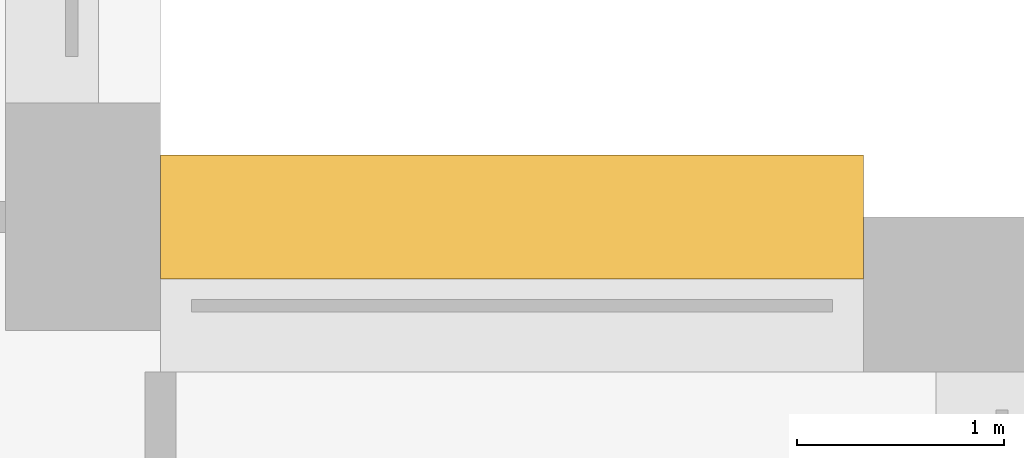
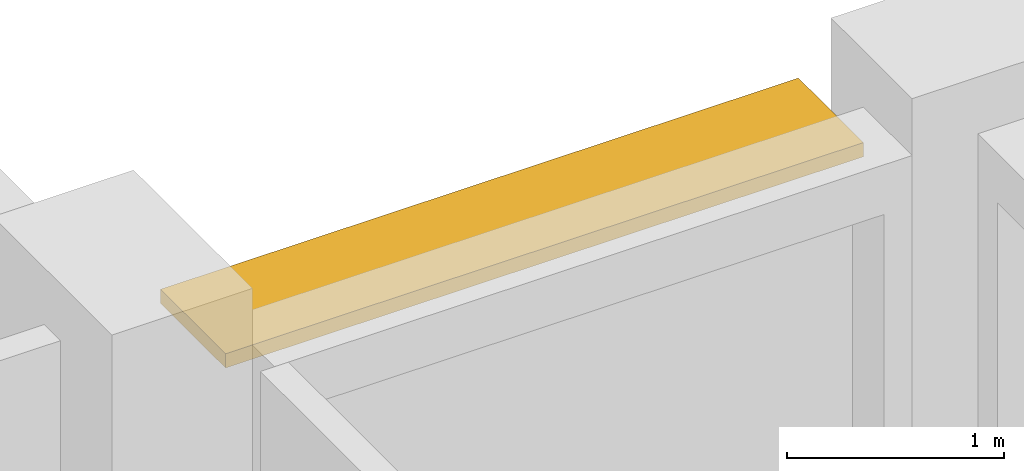
# One storey, part 17 of 17: 1 shading device.
"""IFC4 building model written with IfcOpenShell, lengths in metres."""

from ifc_helpers import new_model, si_unit, direction, frame, origin, origin_2d, place, context, subcontext, project, spatial, rectangle, extrude, material, layer, layer_set, type_object, element, save


model = new_model("IFC4")

# Units and contexts
model_context = context("Model", 3, precision=1e-05, world=origin(), true_north=direction((0.0, 1.0)))
body_context = subcontext(model_context, "Body", "Model", "MODEL_VIEW")
ifc_project = project(units=[si_unit("LENGTHUNIT", "METRE"), si_unit("AREAUNIT", "SQUARE_METRE"), si_unit("VOLUMEUNIT", "CUBIC_METRE"), si_unit("PLANEANGLEUNIT", "RADIAN"), si_unit("MASSUNIT", "GRAM", prefix="KILO")], contexts=[model_context])

# Site, building, storey
site_placement = place(None, origin())
site = spatial("IfcSite", under=ifc_project, at=site_placement, CompositionType="ELEMENT")
building_placement = place(site_placement, origin())
building = spatial("IfcBuilding", under=site, at=building_placement, Name="Brigalow Station Residences", CompositionType="ELEMENT")
storey_placement = place(building_placement, frame((0.0, 0.0, 111.89990234375)))
storey = spatial("IfcBuildingStorey", under=building, at=storey_placement, Name="L32", CompositionType="ELEMENT", Elevation=111.89990234375)

# Shading device
ifc_material = material(Name="Powder-coated extruded aluminium blade", Category="aluminium")
ifc_layer = layer(ifc_material, 0.080078125)
ifc_layer_set = layer_set([ifc_layer], Name="SUNSHADE BLADE 600x80")
shading_device_type = type_object("IfcShadingDeviceType", Name="SUNSHADE BLADE 600x80", PredefinedType="JALOUSIE", material=ifc_layer_set)
shading_device_placement = place(storey_placement, frame((73.699951171875, 41.0, 2.550048828125), z_axis=(0.0, 0.0, 1.0), x_axis=(-1.0, 0.0, 0.0)))
element("IfcShadingDevice", 1, at=shading_device_placement, inside=storey, type_object=shading_device_type, Name="L32/blade/W-L32-21", PredefinedType="JALOUSIE", context=body_context, shape_type="SweptSolid", body=[
    extrude(rectangle(XDim=3.39990234375, YDim=0.60009765625, at=origin_2d()), origin(), (0.0, 0.0, 1.0), 0.080078125),
])

save(model, "model.ifc")
